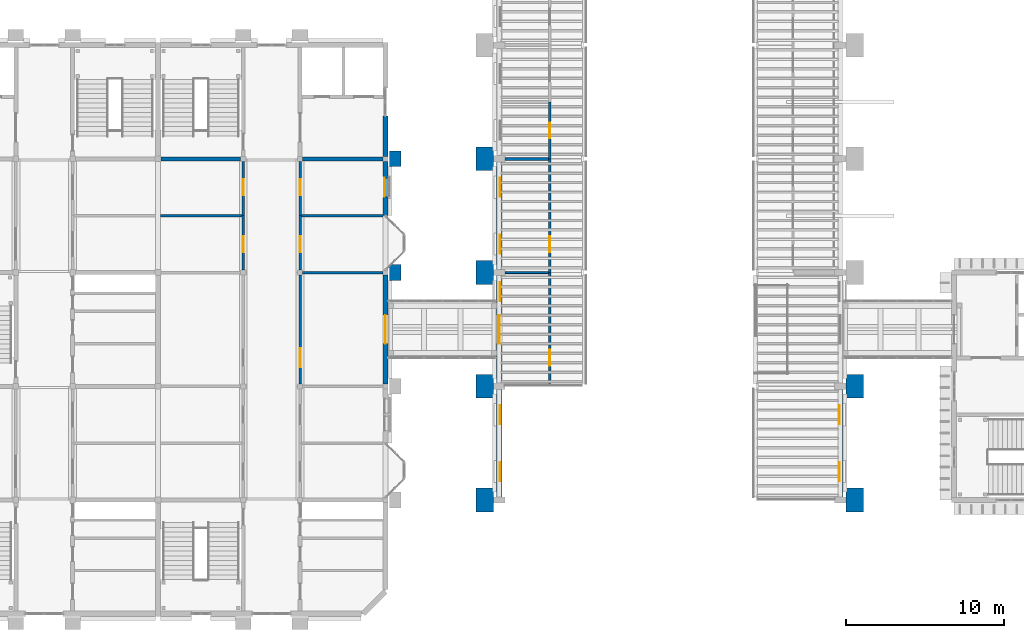
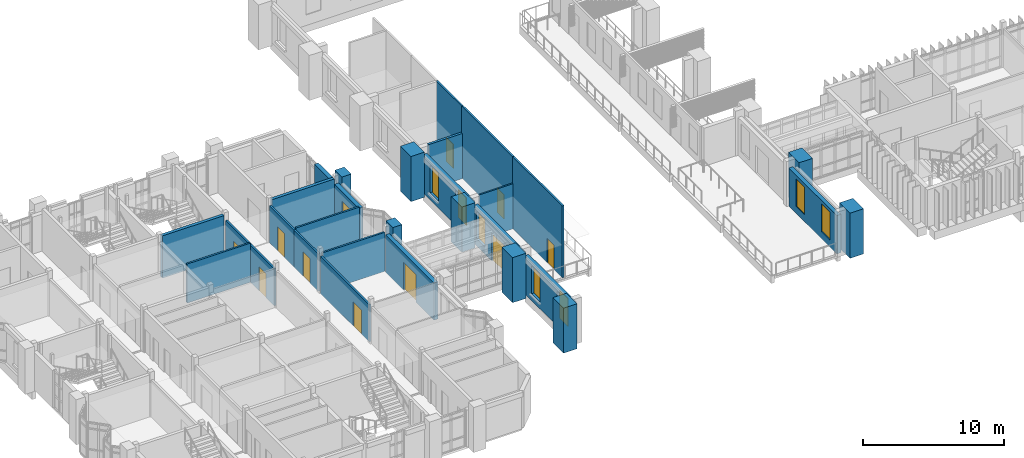
# One storey, part 41 of 69: 30 walls, 10 doors, 8 windows, 18 openings.
"""IFC4 building model written with IfcOpenShell, lengths in metres."""

import ifcopenshell
import ifcopenshell.guid

model = None  # the IFC model being written
_history = None  # IfcOwnerHistory: only IFC2X3 demands one
_inside = {}  # id of a spatial element -> (the spatial element, [elements in it])
_under = {}  # id of a project, library or spatial element -> (it, [spatial elements below it])
_declared = {}  # id of a project -> (the project, [libraries it declares])
_typed = {}  # id of a type object -> (the type object, [elements of that type])
_made_of = {}  # id of a material, layer set ... -> (it, [elements and type objects made of it])


def new_model(schema):
    """Start an empty IFC model of exactly this schema.

    Asked for "IFC4X3", IfcOpenShell would pick the latest addendum, in which some entities
    have other attributes; the version numbers below select the first issue.
    IFC2X3 requires an IfcOwnerHistory on every rooted entity: one is made here for all.
    """
    global model, _history
    if schema == "IFC4X3":
        model = ifcopenshell.file(schema_version=(4, 3, 0, 0))
    else:
        model = ifcopenshell.file(schema=schema)
    _inside.clear()
    _under.clear()
    _declared.clear()
    _typed.clear()
    _made_of.clear()
    _history = None
    if model.schema == "IFC2X3":
        org = make("IfcOrganization", Name="unknown")
        user = make(
            "IfcPersonAndOrganization",
            ThePerson=make("IfcPerson", FamilyName="unknown"),
            TheOrganization=org,
        )
        app = make(
            "IfcApplication",
            ApplicationDeveloper=org,
            Version="unknown",
            ApplicationFullName="unknown",
            ApplicationIdentifier="unknown",
        )
        _history = make(
            "IfcOwnerHistory",
            OwningUser=user,
            OwningApplication=app,
            ChangeAction="ADDED",
            CreationDate=0,
        )
    return model


def make(cls, **values):
    """One entity of the class cls with the attributes given. An attribute that is None is left unset."""
    return model.create_entity(
        cls, **{name: value for name, value in values.items() if value is not None}
    )


def rooted(cls, **values):
    """An entity with a GlobalId (a new one), such as an element, a storey or a relation."""
    return make(cls, GlobalId=ifcopenshell.guid.new(), OwnerHistory=_history, **values)


def si_unit(unit_type, name, prefix=None):
    """IfcSIUnit, for example si_unit("LENGTHUNIT", "METRE", prefix="MILLI")."""
    return make("IfcSIUnit", UnitType=unit_type, Prefix=prefix, Name=name)


def assignment(units):
    """IfcUnitAssignment: the units of a project."""
    return None if units is None else make("IfcUnitAssignment", Units=units)


def point(xyz):
    """IfcCartesianPoint."""
    return None if xyz is None else make("IfcCartesianPoint", Coordinates=xyz)


def direction(xyz):
    """IfcDirection."""
    return None if xyz is None else make("IfcDirection", DirectionRatios=xyz)


def frame(location, z_axis=None, x_axis=None):
    """IfcAxis2Placement3D, a coordinate frame: its origin and axes. An axis left out is left unset."""
    return make(
        "IfcAxis2Placement3D",
        Location=point(location),
        Axis=direction(z_axis),
        RefDirection=direction(x_axis),
    )


def frame_2d(location, x_axis=None):
    """IfcAxis2Placement2D, a coordinate frame in the plane: its origin and x axis."""
    return make(
        "IfcAxis2Placement2D", Location=point(location), RefDirection=direction(x_axis)
    )


def origin():
    """The frame at (0, 0, 0) with its axes left unset."""
    return frame((0.0, 0.0, 0.0))


def place(relative_to, where):
    """IfcLocalPlacement: puts the frame where relative to a parent placement (None: the world)."""
    return make(
        "IfcLocalPlacement", PlacementRelTo=relative_to, RelativePlacement=where
    )


def context(
    kind, dimensions, precision=None, world=None, true_north=None, identifier=None
):
    """IfcGeometricRepresentationContext, for example the 3D "Model" context."""
    return make(
        "IfcGeometricRepresentationContext",
        ContextIdentifier=identifier,
        ContextType=kind,
        CoordinateSpaceDimension=dimensions,
        Precision=precision,
        WorldCoordinateSystem=world,
        TrueNorth=true_north,
    )


def subcontext(parent, identifier, kind, view, scale=None):
    """IfcGeometricRepresentationSubContext, for example "Body" below "Model"."""
    return make(
        "IfcGeometricRepresentationSubContext",
        ContextIdentifier=identifier,
        ContextType=kind,
        ParentContext=parent,
        TargetScale=scale,
        TargetView=view,
    )


def project(units=None, contexts=None):
    """IfcProject with its units and contexts."""
    return rooted(
        "IfcProject",
        Name="project",
        RepresentationContexts=contexts,
        UnitsInContext=assignment(units),
    )


def spatial(cls, under=None, at=None, **own):
    """A site, building, storey or space (cls), placed at a placement, below another one or the project."""
    s = rooted(cls, ObjectPlacement=at, **own)
    if under is not None:
        _under.setdefault(under.id(), (under, []))[1].append(s)
    return s


def profile(cls, at=None, kind="AREA", **sizes):
    """A parametric profile (cls). Its sizes go by their IFC names, for example OverallWidth=200.0."""
    return make(cls, ProfileType=kind, Position=at, **sizes)


def rectangle(**sizes):
    """IfcRectangleProfileDef."""
    return profile("IfcRectangleProfileDef", **sizes)


def extrude(swept, where, along, depth):
    """IfcExtrudedAreaSolid: the profile swept, set in the frame where, extruded along a direction by depth."""
    return make(
        "IfcExtrudedAreaSolid",
        SweptArea=swept,
        Position=where,
        ExtrudedDirection=direction(along),
        Depth=depth,
    )


def shape(context_of_items, identifier, shape_type, items):
    """IfcShapeRepresentation: the items that make up one representation, for example the "Body"."""
    return make(
        "IfcShapeRepresentation",
        ContextOfItems=context_of_items,
        RepresentationIdentifier=identifier,
        RepresentationType=shape_type,
        Items=items,
    )


def material(Name=None, Category=None):
    """IfcMaterial."""
    return make("IfcMaterial", Name=Name, Category=Category)


def layer(
    of_material, thickness, ventilated=None, Name=None, Category=None, Priority=None
):
    """IfcMaterialLayer: one layer of a wall or slab, of a material (None: an air gap)."""
    return make(
        "IfcMaterialLayer",
        Material=of_material,
        LayerThickness=thickness,
        IsVentilated=ventilated,
        Name=Name,
        Category=Category,
        Priority=Priority,
    )


def layer_set(layers, Name=None):
    """IfcMaterialLayerSet."""
    return make("IfcMaterialLayerSet", MaterialLayers=layers, LayerSetName=Name)


def made_of(thing, what):
    """Note that an element or type object is made of a material, layer set ...; save() writes the relation."""
    if what is not None:
        _made_of.setdefault(what.id(), (what, []))[1].append(thing)
    return thing


def type_object(cls, material=None, **own):
    """A type object (cls), such as IfcWallType, which elements share."""
    return made_of(rooted(cls, **own), material)


def element(
    cls,
    number,
    at=None,
    inside=None,
    cuts=None,
    type_object=None,
    material=None,
    context=None,
    identifier="Body",
    shape_type=None,
    held_by="IfcProductDefinitionShape",
    body=None,
    shapes=None,
    **own,
):
    """One element of the class cls, such as IfcWall. Its Tag is "e" and its number.

    at: its placement. inside: the storey or other place that contains it. cuts: it is an
    opening in that element (IfcRelVoidsElement). A single representation is given by context,
    identifier, shape_type and body (its items); several are given by shapes. held_by: the class
    of the entity that holds the representations. save() writes the other relations.
    """
    e = rooted(cls, Tag="e%d" % number, ObjectPlacement=at, **own)
    if body is not None:
        shapes = [shape(context, identifier, shape_type, body)]
    if shapes is not None:
        e.Representation = make(held_by, Representations=shapes)
    if inside is not None:
        _inside.setdefault(inside.id(), (inside, []))[1].append(e)
    if cuts is not None:
        rooted(
            "IfcRelVoidsElement", RelatingBuildingElement=cuts, RelatedOpeningElement=e
        )
    if type_object is not None:
        _typed.setdefault(type_object.id(), (type_object, []))[1].append(e)
    return made_of(e, material)


def fill(opening, filler):
    """IfcRelFillsElement: the door or window that sits in an opening."""
    return rooted(
        "IfcRelFillsElement",
        RelatingOpeningElement=opening,
        RelatedBuildingElement=filler,
    )


def aggregate(whole, parts):
    """IfcRelAggregates: a whole, such as a stair, and the parts it consists of."""
    return rooted("IfcRelAggregates", RelatingObject=whole, RelatedObjects=parts)


def save(model, path):
    """Write the relations noted so far, then the file.

    IfcRelAggregates (storeys below a building ...), IfcRelContainedInSpatialStructure (elements
    in a storey), IfcRelDefinesByType, IfcRelAssociatesMaterial and IfcRelDeclares: one each for
    every whole, place, type object, material and project.
    """
    for whole, parts in _under.values():
        aggregate(whole, parts)
    for where, things in _inside.values():
        rooted(
            "IfcRelContainedInSpatialStructure",
            RelatedElements=things,
            RelatingStructure=where,
        )
    for kind, things in _typed.values():
        rooted("IfcRelDefinesByType", RelatedObjects=things, RelatingType=kind)
    for what, things in _made_of.values():
        rooted("IfcRelAssociatesMaterial", RelatedObjects=things, RelatingMaterial=what)
    for by, libraries in _declared.values():
        rooted("IfcRelDeclares", RelatingContext=by, RelatedDefinitions=libraries)
    model.write(path)


model = new_model("IFC4")

# Units and contexts
model_context = context("Model", 3, precision=1e-05, world=origin(), true_north=direction((0.0, 1.0)))
body_context = subcontext(model_context, "Body", "Model", "MODEL_VIEW")
ifc_project = project(units=[si_unit("LENGTHUNIT", "METRE"), si_unit("AREAUNIT", "SQUARE_METRE"), si_unit("VOLUMEUNIT", "CUBIC_METRE"), si_unit("PLANEANGLEUNIT", "RADIAN"), si_unit("MASSUNIT", "GRAM", prefix="KILO")], contexts=[model_context])

# Site, building, storey
site_placement = place(None, origin())
site = spatial("IfcSite", under=ifc_project, at=site_placement, CompositionType="ELEMENT")
building_placement = place(site_placement, origin())
building = spatial("IfcBuilding", under=site, at=building_placement, Name="Mazhai Court Health Centre", CompositionType="ELEMENT")
storey_placement = place(building_placement, frame((0.0, 0.0, 6.300048828125)))
storey = spatial("IfcBuildingStorey", under=building, at=storey_placement, Name="L01", CompositionType="ELEMENT", Elevation=6.300048828125)

# Walls
ifc_material_1 = material(Name="Clay brick masonry", Category="masonry")
ifc_layer_1 = layer(ifc_material_1, 1.10009765625)
ifc_layer_set_1 = layer_set([ifc_layer_1], Name="BRICK BUTTRESS PIER 1100")
wall_type_1 = type_object("IfcWallType", Name="BRICK BUTTRESS PIER 1100", PredefinedType="SOLIDWALL", material=ifc_layer_set_1)
for number, where, z_axis, x_axis, name in (
    (1, (41.2900390625, 12.64990234375, 0.0), (0.0, 0.0, 1.0), (0.0, 1.0, 0.0), "EP-V1-L01-W0"),
    (2, (41.2900390625, 19.85009765625, 0.0), (0.0, 0.0, 1.0), (0.0, 1.0, 0.0), "EP-V1-L01-W1"),
    (3, (41.2900390625, 27.050048828125, 0.0), (0.0, 0.0, 1.0), (0.0, 1.0, 0.0), "EP-V1-L01-W2"),
    (4, (41.2900390625, 34.25, 0.0), (0.0, 0.0, 1.0), (0.0, 1.0, 0.0), "EP-V1-L01-W3"),
    (5, (64.7099609375, 14.14990234375, 0.0), (0.0, 0.0, 1.0), (0.0, -1.0, 0.0), "EP-V1-L01-E0"),
    (6, (64.7099609375, 21.35009765625, 0.0), (0.0, 0.0, 1.0), (0.0, -1.0, 0.0), "EP-V1-L01-E1"),
):
    element("IfcWall", number, at=place(storey_placement, frame(where, z_axis=z_axis, x_axis=x_axis)), inside=storey, type_object=wall_type_1, Name=name, PredefinedType="SOLIDWALL", context=body_context, shape_type="SweptSolid", body=[
        extrude(rectangle(XDim=1.5, YDim=1.10009765625, at=frame_2d((0.75, 0.0))), origin(), (0.0, 0.0, 1.0), 3.89990234375),
    ])
ifc_material_2 = material(Name="Clay brick masonry", Category="masonry")
ifc_layer_2 = layer(ifc_material_2, 0.75)
ifc_layer_set_2 = layer_set([ifc_layer_2], Name="BRICK PIER 750")
wall_type_2 = type_object("IfcWallType", Name="BRICK PIER 750", PredefinedType="SOLIDWALL", material=ifc_layer_set_2)
for number, where, z_axis, x_axis, name in (
    (7, (35.625, 28.300048828125, 0.0), (0.0, 0.0, 1.0), (0.0, -1.0, 0.0), "EP-V5-L01-B3"),
    (8, (35.625, 35.5, 0.0), (0.0, 0.0, 1.0), (0.0, -1.0, 0.0), "EP-V5-L01-B4"),
):
    element("IfcWall", number, at=place(storey_placement, frame(where, z_axis=z_axis, x_axis=x_axis)), inside=storey, type_object=wall_type_2, Name=name, PredefinedType="SOLIDWALL", context=body_context, shape_type="SweptSolid", body=[
        extrude(rectangle(XDim=1.0, YDim=0.75, at=frame_2d((0.5, 0.0))), origin(), (0.0, 0.0, 1.0), 3.89990234375),
    ])

# Wall, opening, door
ifc_material_3 = material(Name="Clay brick masonry", Category="masonry")
ifc_layer_3 = layer(ifc_material_3, 0.330078125)
ifc_layer_set_3 = layer_set([ifc_layer_3], Name="BRICK WALL 330 EXTERNAL")
wall_type_3 = type_object("IfcWallType", Name="BRICK WALL 330 EXTERNAL", PredefinedType="SOLIDWALL", material=ifc_layer_set_3)
wall_1_placement = place(storey_placement, frame((35.0, 27.639892578125, 0.0), z_axis=(0.0, 0.0, 1.0), x_axis=(0.0, -1.0, 0.0)))
wall_1 = element("IfcWall", 9, at=wall_1_placement, inside=storey, type_object=wall_type_3, Name="EW-V5-L01-B2p0", PredefinedType="SOLIDWALL", context=body_context, shape_type="SweptSolid", body=[
    extrude(rectangle(XDim=6.8798828125, YDim=0.330078125, at=frame_2d((3.43994140625, 0.0))), origin(), (0.0, 0.0, 1.0), 3.219970703125),
])
opening_1_placement = place(wall_1_placement, frame((2.5400390625, 0.0, 0.0)))
opening_1 = element("IfcOpeningElement", 10, at=opening_1_placement, cuts=wall_1, Name="Opening D-L01-036", PredefinedType="OPENING", context=body_context, shape_type="SweptSolid", body=[
    extrude(rectangle(XDim=1.800048828125, YDim=2.39990234375, at=frame_2d((0.89990234375, 1.199951171875))), frame((0.0, 0.175048828125, 0.0), z_axis=(0.0, -1.0, 0.0), x_axis=(1.0, 0.0, 0.0)), (0.0, 0.0, 1.0), 0.35009765625),
])
ifc_material_4 = material(Name="Teak timber door, glazed", Category="wood")
door_type_1 = type_object("IfcDoorType", Name="DOOR BRIDGE DOUBLE 1800x2400", OperationType="DOUBLE_DOOR_SINGLE_SWING", PredefinedType="DOOR", material=ifc_material_4)
door_1_placement = place(opening_1_placement, origin())
door_1 = element("IfcDoor", 11, at=door_1_placement, inside=storey, type_object=door_type_1, Name="L01-E01", OperationType="DOUBLE_DOOR_SINGLE_SWING", OverallHeight=2.39990234375, OverallWidth=1.800048828125, PredefinedType="DOOR", context=body_context, shape_type="SweptSolid", body=[
    extrude(rectangle(XDim=1.800048828125, YDim=2.39990234375, at=frame_2d((0.89990234375, 1.199951171875))), frame((0.0, 0.02490234375, 0.0), z_axis=(0.0, -1.0, 0.0), x_axis=(1.0, 0.0, 0.0)), (0.0, 0.0, 1.0), 0.050048828125),
])
fill(opening_1, door_1)

# Wall, opening, window
wall_2_placement = place(storey_placement, frame((35.0, 34.840087890625, 0.0), z_axis=(0.0, 0.0, 1.0), x_axis=(0.0, -1.0, 0.0)))
wall_2 = element("IfcWall", 12, at=wall_2_placement, inside=storey, type_object=wall_type_3, Name="EW-V5-L01-B3p1", PredefinedType="SOLIDWALL", context=body_context, shape_type="SweptSolid", body=[
    extrude(rectangle(XDim=3.440185546875, YDim=0.330078125, at=frame_2d((1.72021484375, 0.0))), origin(), (0.0, 0.0, 1.0), 3.219970703125),
])
opening_2_placement = place(wall_2_placement, frame((1.0400390625, 0.0, 0.89990234375)))
opening_2 = element("IfcOpeningElement", 13, at=opening_2_placement, cuts=wall_2, Name="Opening W12", PredefinedType="OPENING", context=body_context, shape_type="SweptSolid", body=[
    extrude(rectangle(XDim=1.199951171875, YDim=1.5, at=frame_2d((0.60009765625, 0.75))), frame((0.0, 0.175048828125, 0.0), z_axis=(0.0, -1.0, 0.0), x_axis=(1.0, 0.0, 0.0)), (0.0, 0.0, 1.0), 0.35009765625),
])
ifc_material_5 = material(Name="Teak timber frame, glazed", Category="wood")
window_type_1 = type_object("IfcWindowType", Name="WINDOW OFFICE 1200x1500", PartitioningType="SINGLE_PANEL", PredefinedType="WINDOW", material=ifc_material_5)
window_1_placement = place(opening_2_placement, origin())
window_1 = element("IfcWindow", 14, at=window_1_placement, inside=storey, type_object=window_type_1, Name="W12 WN-V5-L01-B31", OverallHeight=1.5, OverallWidth=1.199951171875, PartitioningType="SINGLE_PANEL", PredefinedType="WINDOW", context=body_context, shape_type="SweptSolid", body=[
    extrude(rectangle(XDim=1.199951171875, YDim=1.5, at=frame_2d((0.60009765625, 0.75))), frame((0.0, -0.030029296875, 0.0), z_axis=(0.0, -1.0, 0.0), x_axis=(1.0, 0.0, 0.0)), (0.0, 0.0, 1.0), 0.06005859375),
])
fill(opening_2, window_1)

# Wall
wall_3_placement = place(storey_placement, frame((35.0, 37.699951171875, 0.0), z_axis=(0.0, 0.0, 1.0), x_axis=(0.0, -1.0, 0.0)))
element("IfcWall", 15, at=wall_3_placement, inside=storey, type_object=wall_type_3, Name="EW-V5-L01-B4a", PredefinedType="SOLIDWALL", context=body_context, shape_type="SweptSolid", body=[
    extrude(rectangle(XDim=2.5400390625, YDim=0.330078125, at=frame_2d((1.27001953125, 0.0))), origin(), (0.0, 0.0, 1.0), 3.219970703125),
])

# Wall, openings, windows
wall_4_placement = place(storey_placement, frame((42.199951171875, 13.60009765625, 0.0), z_axis=(0.0, 0.0, 1.0), x_axis=(0.0, 1.0, 0.0)))
wall_4 = element("IfcWall", 16, at=wall_4_placement, inside=storey, type_object=wall_type_3, Name="EW-V1-L01-W0", PredefinedType="SOLIDWALL", context=body_context, shape_type="SweptSolid", body=[
    extrude(rectangle(XDim=6.7998046875, YDim=0.330078125, at=frame_2d((3.39990234375, 0.0))), origin(), (0.0, 0.0, 1.0), 3.300048828125),
])
opening_3_placement = place(wall_4_placement, frame((1.0, 0.0, 0.60009765625)))
opening_3 = element("IfcOpeningElement", 17, at=opening_3_placement, cuts=wall_4, Name="Opening W2", PredefinedType="OPENING", context=body_context, shape_type="SweptSolid", body=[
    extrude(rectangle(XDim=1.199951171875, YDim=2.39990234375, at=frame_2d((0.60009765625, 1.199951171875))), frame((0.0, 0.175048828125, 0.0), z_axis=(0.0, -1.0, 0.0), x_axis=(1.0, 0.0, 0.0)), (0.0, 0.0, 1.0), 0.35009765625),
])
opening_4_placement = place(wall_4_placement, frame((4.60009765625, 0.0, 0.60009765625)))
opening_4 = element("IfcOpeningElement", 18, at=opening_4_placement, cuts=wall_4, Name="Opening W2", PredefinedType="OPENING", context=body_context, shape_type="SweptSolid", body=[
    extrude(rectangle(XDim=1.199951171875, YDim=2.39990234375, at=frame_2d((0.60009765625, 1.199951171875))), frame((0.0, 0.175048828125, 0.0), z_axis=(0.0, -1.0, 0.0), x_axis=(1.0, 0.0, 0.0)), (0.0, 0.0, 1.0), 0.35009765625),
])
ifc_material_6 = material(Name="Teak timber frame, glazed", Category="wood")
window_type_2 = type_object("IfcWindowType", Name="WINDOW TALL PIER 1200x2400", PartitioningType="SINGLE_PANEL", PredefinedType="WINDOW", material=ifc_material_6)
window_2_placement = place(opening_3_placement, origin())
window_2 = element("IfcWindow", 19, at=window_2_placement, inside=storey, type_object=window_type_2, Name="W2 WN-V1-L01-W0a", OverallHeight=2.39990234375, OverallWidth=1.199951171875, PartitioningType="SINGLE_PANEL", PredefinedType="WINDOW", context=body_context, shape_type="SweptSolid", body=[
    extrude(rectangle(XDim=1.199951171875, YDim=2.39990234375, at=frame_2d((0.60009765625, 1.199951171875))), frame((0.0, -0.030029296875, 0.0), z_axis=(0.0, -1.0, 0.0), x_axis=(1.0, 0.0, 0.0)), (0.0, 0.0, 1.0), 0.06005859375),
])
fill(opening_3, window_2)
window_3_placement = place(opening_4_placement, origin())
window_3 = element("IfcWindow", 20, at=window_3_placement, inside=storey, type_object=window_type_2, Name="W2 WN-V1-L01-W0b", OverallHeight=2.39990234375, OverallWidth=1.199951171875, PartitioningType="SINGLE_PANEL", PredefinedType="WINDOW", context=body_context, shape_type="SweptSolid", body=[
    extrude(rectangle(XDim=1.199951171875, YDim=2.39990234375, at=frame_2d((0.60009765625, 1.199951171875))), frame((0.0, -0.030029296875, 0.0), z_axis=(0.0, -1.0, 0.0), x_axis=(1.0, 0.0, 0.0)), (0.0, 0.0, 1.0), 0.06005859375),
])
fill(opening_4, window_3)

# Wall, openings, door, window
wall_5_placement = place(storey_placement, frame((42.199951171875, 20.800048828125, 0.0), z_axis=(0.0, 0.0, 1.0), x_axis=(0.0, 1.0, 0.0)))
wall_5 = element("IfcWall", 21, at=wall_5_placement, inside=storey, type_object=wall_type_3, Name="EW-V1-L01-W1", PredefinedType="SOLIDWALL", context=body_context, shape_type="SweptSolid", body=[
    extrude(rectangle(XDim=6.800048828125, YDim=0.330078125, at=frame_2d((3.39990234375, 0.0))), origin(), (0.0, 0.0, 1.0), 3.300048828125),
])
opening_5_placement = place(wall_5_placement, frame((2.5, 0.0, 0.0)))
opening_5 = element("IfcOpeningElement", 22, at=opening_5_placement, cuts=wall_5, Name="Opening D-L01-037", PredefinedType="OPENING", context=body_context, shape_type="SweptSolid", body=[
    extrude(rectangle(XDim=1.800048828125, YDim=2.39990234375, at=frame_2d((0.89990234375, 1.199951171875))), frame((0.0, 0.175048828125, 0.0), z_axis=(0.0, -1.0, 0.0), x_axis=(1.0, 0.0, 0.0)), (0.0, 0.0, 1.0), 0.35009765625),
])
opening_6_placement = place(wall_5_placement, frame((5.199951171875, 0.0, 0.60009765625)))
opening_6 = element("IfcOpeningElement", 23, at=opening_6_placement, cuts=wall_5, Name="Opening W2", PredefinedType="OPENING", context=body_context, shape_type="SweptSolid", body=[
    extrude(rectangle(XDim=1.199951171875, YDim=2.39990234375, at=frame_2d((0.60009765625, 1.199951171875))), frame((0.0, 0.175048828125, 0.0), z_axis=(0.0, -1.0, 0.0), x_axis=(1.0, 0.0, 0.0)), (0.0, 0.0, 1.0), 0.35009765625),
])
door_2_placement = place(opening_5_placement, origin())
door_2 = element("IfcDoor", 24, at=door_2_placement, inside=storey, type_object=door_type_1, Name="L01-E03", OperationType="DOUBLE_DOOR_SINGLE_SWING", OverallHeight=2.39990234375, OverallWidth=1.800048828125, PredefinedType="DOOR", context=body_context, shape_type="SweptSolid", body=[
    extrude(rectangle(XDim=1.800048828125, YDim=2.39990234375, at=frame_2d((0.89990234375, 1.199951171875))), frame((0.0, 0.02490234375, 0.0), z_axis=(0.0, -1.0, 0.0), x_axis=(1.0, 0.0, 0.0)), (0.0, 0.0, 1.0), 0.050048828125),
])
fill(opening_5, door_2)
window_4_placement = place(opening_6_placement, origin())
window_4 = element("IfcWindow", 25, at=window_4_placement, inside=storey, type_object=window_type_2, Name="W2 WN-V1-L01-W1x", OverallHeight=2.39990234375, OverallWidth=1.199951171875, PartitioningType="SINGLE_PANEL", PredefinedType="WINDOW", context=body_context, shape_type="SweptSolid", body=[
    extrude(rectangle(XDim=1.199951171875, YDim=2.39990234375, at=frame_2d((0.60009765625, 1.199951171875))), frame((0.0, -0.030029296875, 0.0), z_axis=(0.0, -1.0, 0.0), x_axis=(1.0, 0.0, 0.0)), (0.0, 0.0, 1.0), 0.06005859375),
])
fill(opening_6, window_4)

# Wall, openings, windows
wall_6_placement = place(storey_placement, frame((42.199951171875, 28.0, 0.0), z_axis=(0.0, 0.0, 1.0), x_axis=(0.0, 1.0, 0.0)))
wall_6 = element("IfcWall", 26, at=wall_6_placement, inside=storey, type_object=wall_type_3, Name="EW-V1-L01-W2", PredefinedType="SOLIDWALL", context=body_context, shape_type="SweptSolid", body=[
    extrude(rectangle(XDim=6.800048828125, YDim=0.330078125, at=frame_2d((3.39990234375, 0.0))), origin(), (0.0, 0.0, 1.0), 3.300048828125),
])
opening_7_placement = place(wall_6_placement, frame((1.0, 0.0, 0.60009765625)))
opening_7 = element("IfcOpeningElement", 27, at=opening_7_placement, cuts=wall_6, Name="Opening W2", PredefinedType="OPENING", context=body_context, shape_type="SweptSolid", body=[
    extrude(rectangle(XDim=1.199951171875, YDim=2.39990234375, at=frame_2d((0.60009765625, 1.199951171875))), frame((0.0, 0.175048828125, 0.0), z_axis=(0.0, -1.0, 0.0), x_axis=(1.0, 0.0, 0.0)), (0.0, 0.0, 1.0), 0.35009765625),
])
opening_8_placement = place(wall_6_placement, frame((4.60009765625, 0.0, 0.60009765625)))
opening_8 = element("IfcOpeningElement", 28, at=opening_8_placement, cuts=wall_6, Name="Opening W2", PredefinedType="OPENING", context=body_context, shape_type="SweptSolid", body=[
    extrude(rectangle(XDim=1.199951171875, YDim=2.39990234375, at=frame_2d((0.60009765625, 1.199951171875))), frame((0.0, 0.175048828125, 0.0), z_axis=(0.0, -1.0, 0.0), x_axis=(1.0, 0.0, 0.0)), (0.0, 0.0, 1.0), 0.35009765625),
])
window_5_placement = place(opening_7_placement, origin())
window_5 = element("IfcWindow", 29, at=window_5_placement, inside=storey, type_object=window_type_2, Name="W2 WN-V1-L01-W2a", OverallHeight=2.39990234375, OverallWidth=1.199951171875, PartitioningType="SINGLE_PANEL", PredefinedType="WINDOW", context=body_context, shape_type="SweptSolid", body=[
    extrude(rectangle(XDim=1.199951171875, YDim=2.39990234375, at=frame_2d((0.60009765625, 1.199951171875))), frame((0.0, -0.030029296875, 0.0), z_axis=(0.0, -1.0, 0.0), x_axis=(1.0, 0.0, 0.0)), (0.0, 0.0, 1.0), 0.06005859375),
])
fill(opening_7, window_5)
window_6_placement = place(opening_8_placement, origin())
window_6 = element("IfcWindow", 30, at=window_6_placement, inside=storey, type_object=window_type_2, Name="W2 WN-V1-L01-W2b", OverallHeight=2.39990234375, OverallWidth=1.199951171875, PartitioningType="SINGLE_PANEL", PredefinedType="WINDOW", context=body_context, shape_type="SweptSolid", body=[
    extrude(rectangle(XDim=1.199951171875, YDim=2.39990234375, at=frame_2d((0.60009765625, 1.199951171875))), frame((0.0, -0.030029296875, 0.0), z_axis=(0.0, -1.0, 0.0), x_axis=(1.0, 0.0, 0.0)), (0.0, 0.0, 1.0), 0.06005859375),
])
fill(opening_8, window_6)

wall_7_placement = place(storey_placement, frame((63.800048828125, 20.39990234375, 0.0), z_axis=(0.0, 0.0, 1.0), x_axis=(0.0, -1.0, 0.0)))
wall_7 = element("IfcWall", 31, at=wall_7_placement, inside=storey, type_object=wall_type_3, Name="EW-V1-L01-E0", PredefinedType="SOLIDWALL", context=body_context, shape_type="SweptSolid", body=[
    extrude(rectangle(XDim=6.7998046875, YDim=0.330078125, at=frame_2d((3.39990234375, 0.0))), origin(), (0.0, 0.0, 1.0), 3.300048828125),
])
opening_9_placement = place(wall_7_placement, frame((4.60009765625, 0.0, 0.60009765625)))
opening_9 = element("IfcOpeningElement", 32, at=opening_9_placement, cuts=wall_7, Name="Opening W2", PredefinedType="OPENING", context=body_context, shape_type="SweptSolid", body=[
    extrude(rectangle(XDim=1.199951171875, YDim=2.39990234375, at=frame_2d((0.60009765625, 1.199951171875))), frame((0.0, 0.175048828125, 0.0), z_axis=(0.0, -1.0, 0.0), x_axis=(1.0, 0.0, 0.0)), (0.0, 0.0, 1.0), 0.35009765625),
])
opening_10_placement = place(wall_7_placement, frame((1.0, 0.0, 0.60009765625)))
opening_10 = element("IfcOpeningElement", 33, at=opening_10_placement, cuts=wall_7, Name="Opening W2", PredefinedType="OPENING", context=body_context, shape_type="SweptSolid", body=[
    extrude(rectangle(XDim=1.199951171875, YDim=2.39990234375, at=frame_2d((0.60009765625, 1.199951171875))), frame((0.0, 0.175048828125, 0.0), z_axis=(0.0, -1.0, 0.0), x_axis=(1.0, 0.0, 0.0)), (0.0, 0.0, 1.0), 0.35009765625),
])
window_7_placement = place(opening_9_placement, origin())
window_7 = element("IfcWindow", 34, at=window_7_placement, inside=storey, type_object=window_type_2, Name="W2 WN-V1-L01-E0a", OverallHeight=2.39990234375, OverallWidth=1.199951171875, PartitioningType="SINGLE_PANEL", PredefinedType="WINDOW", context=body_context, shape_type="SweptSolid", body=[
    extrude(rectangle(XDim=1.199951171875, YDim=2.39990234375, at=frame_2d((0.60009765625, 1.199951171875))), frame((0.0, -0.030029296875, 0.0), z_axis=(0.0, -1.0, 0.0), x_axis=(1.0, 0.0, 0.0)), (0.0, 0.0, 1.0), 0.06005859375),
])
fill(opening_9, window_7)
window_8_placement = place(opening_10_placement, origin())
window_8 = element("IfcWindow", 35, at=window_8_placement, inside=storey, type_object=window_type_2, Name="W2 WN-V1-L01-E0b", OverallHeight=2.39990234375, OverallWidth=1.199951171875, PartitioningType="SINGLE_PANEL", PredefinedType="WINDOW", context=body_context, shape_type="SweptSolid", body=[
    extrude(rectangle(XDim=1.199951171875, YDim=2.39990234375, at=frame_2d((0.60009765625, 1.199951171875))), frame((0.0, -0.030029296875, 0.0), z_axis=(0.0, -1.0, 0.0), x_axis=(1.0, 0.0, 0.0)), (0.0, 0.0, 1.0), 0.06005859375),
])
fill(opening_10, window_8)

# Wall
ifc_material_7 = material(Name="Gypsum plasterboard partition")
ifc_layer_4 = layer(ifc_material_7, 0.125)
ifc_layer_set_4 = layer_set([ifc_layer_4], Name="PARTITION 125 STUD EI30")
wall_type_4 = type_object("IfcWallType", Name="PARTITION 125 STUD EI30", PredefinedType="PARTITIONING", material=ifc_layer_set_4)
wall_8_placement = place(storey_placement, frame((42.56005859375, 27.800048828125, 0.0), z_axis=(0.0, 0.0, 1.0), x_axis=(1.0, 0.0, 0.0)))
element("IfcWall", 36, at=wall_8_placement, inside=storey, type_object=wall_type_4, Name="wall-V1-L01-W-cross-1a", PredefinedType="PARTITIONING", context=body_context, shape_type="SweptSolid", body=[
    extrude(rectangle(XDim=2.764892578125, YDim=0.125, at=frame_2d((1.38232421875, 0.0))), origin(), (0.0, 0.0, 1.0), 3.89990234375),
])

# Wall, opening, door
ifc_material_8 = material(Name="Gypsum plasterboard partition")
ifc_layer_5 = layer(ifc_material_8, 0.14990234375)
ifc_layer_set_5 = layer_set([ifc_layer_5], Name="PARTITION 150 CORRIDOR EI60")
wall_type_5 = type_object("IfcWallType", Name="PARTITION 150 CORRIDOR EI60", PredefinedType="PARTITIONING", material=ifc_layer_set_5)
wall_9_placement = place(storey_placement, frame((26.0, 27.9599609375, 0.0), z_axis=(0.0, 0.0, 1.0), x_axis=(0.0, 1.0, 0.0)))
wall_9 = element("IfcWall", 37, at=wall_9_placement, inside=storey, type_object=wall_type_5, Name="wall-V5-L01-A0-corr-3a", PredefinedType="PARTITIONING", context=body_context, shape_type="SweptSolid", body=[
    extrude(rectangle(XDim=3.43994140625, YDim=0.14990234375, at=frame_2d((1.719970703125, 0.0))), origin(), (0.0, 0.0, 1.0), 3.219970703125),
])
opening_11_placement = place(wall_9_placement, frame((1.139892578125, 0.0, 0.0)))
opening_11 = element("IfcOpeningElement", 38, at=opening_11_placement, cuts=wall_9, Name="Opening D-L01-023", PredefinedType="OPENING", context=body_context, shape_type="SweptSolid", body=[
    extrude(rectangle(XDim=1.0, YDim=2.10009765625, at=frame_2d((0.5, 1.050048828125))), frame((0.0, 0.0849609375, 0.0), z_axis=(0.0, -1.0, 0.0), x_axis=(1.0, 0.0, 0.0)), (0.0, 0.0, 1.0), 0.169921875),
])
ifc_material_9 = material(Name="Hardwood door leaf", Category="wood")
door_type_2 = type_object("IfcDoorType", Name="DOOR 1000x2100 FD30S SINGLE", OperationType="NOTDEFINED", PredefinedType="DOOR", material=ifc_material_9)
door_3_placement = place(opening_11_placement, origin())
door_3 = element("IfcDoor", 39, at=door_3_placement, inside=storey, type_object=door_type_2, Name="door-V5-L01-A0-haematology-laboratory", OperationType="SINGLE_SWING_LEFT", OverallHeight=2.10009765625, OverallWidth=1.0, PredefinedType="DOOR", context=body_context, shape_type="SweptSolid", body=[
    extrude(rectangle(XDim=1.0, YDim=2.10009765625, at=frame_2d((0.5, 1.050048828125))), frame((0.0, 0.02490234375, 0.0), z_axis=(0.0, -1.0, 0.0), x_axis=(1.0, 0.0, 0.0)), (0.0, 0.0, 1.0), 0.050048828125),
])
fill(opening_11, door_3)

wall_10_placement = place(storey_placement, frame((26.0, 31.39990234375, 0.0), z_axis=(0.0, 0.0, 1.0), x_axis=(0.0, 1.0, 0.0)))
wall_10 = element("IfcWall", 40, at=wall_10_placement, inside=storey, type_object=wall_type_5, Name="wall-V5-L01-A0-corr-4a", PredefinedType="PARTITIONING", context=body_context, shape_type="SweptSolid", body=[
    extrude(rectangle(XDim=3.440185546875, YDim=0.14990234375, at=frame_2d((1.72021484375, 0.0))), origin(), (0.0, 0.0, 1.0), 3.219970703125),
])
opening_12_placement = place(wall_10_placement, frame((1.300048828125, 0.0, 0.0)))
opening_12 = element("IfcOpeningElement", 41, at=opening_12_placement, cuts=wall_10, Name="Opening D-L01-024", PredefinedType="OPENING", context=body_context, shape_type="SweptSolid", body=[
    extrude(rectangle(XDim=1.0, YDim=2.10009765625, at=frame_2d((0.5, 1.050048828125))), frame((0.0, 0.0849609375, 0.0), z_axis=(0.0, -1.0, 0.0), x_axis=(1.0, 0.0, 0.0)), (0.0, 0.0, 1.0), 0.169921875),
])
door_4_placement = place(opening_12_placement, origin())
door_4 = element("IfcDoor", 42, at=door_4_placement, inside=storey, type_object=door_type_2, Name="door-V5-L01-A0-microbiology-laboratory", OperationType="SINGLE_SWING_RIGHT", OverallHeight=2.10009765625, OverallWidth=1.0, PredefinedType="DOOR", context=body_context, shape_type="SweptSolid", body=[
    extrude(rectangle(XDim=1.0, YDim=2.10009765625, at=frame_2d((0.5, 1.050048828125))), frame((0.0, 0.02490234375, 0.0), z_axis=(0.0, -1.0, 0.0), x_axis=(1.0, 0.0, 0.0)), (0.0, 0.0, 1.0), 0.050048828125),
])
fill(opening_12, door_4)

wall_11_placement = place(storey_placement, frame((29.60009765625, 27.639892578125, 0.0), z_axis=(0.0, 0.0, 1.0), x_axis=(0.0, -1.0, 0.0)))
wall_11 = element("IfcWall", 43, at=wall_11_placement, inside=storey, type_object=wall_type_5, Name="wall-V5-L01-B0-corr-2a", PredefinedType="PARTITIONING", context=body_context, shape_type="SweptSolid", body=[
    extrude(rectangle(XDim=6.8798828125, YDim=0.14990234375, at=frame_2d((3.43994140625, 0.0))), origin(), (0.0, 0.0, 1.0), 3.219970703125),
])
opening_13_placement = place(wall_11_placement, frame((4.639892578125, 0.0, 0.0)))
opening_13 = element("IfcOpeningElement", 44, at=opening_13_placement, cuts=wall_11, Name="Opening D-L01-032", PredefinedType="OPENING", context=body_context, shape_type="SweptSolid", body=[
    extrude(rectangle(XDim=1.199951171875, YDim=2.10009765625, at=frame_2d((0.60009765625, 1.050048828125))), frame((0.0, 0.0849609375, 0.0), z_axis=(0.0, -1.0, 0.0), x_axis=(1.0, 0.0, 0.0)), (0.0, 0.0, 1.0), 0.169921875),
])
ifc_material_10 = material(Name="Hardwood door leaf", Category="wood")
door_type_3 = type_object("IfcDoorType", Name="DOOR 1200x2100 FD30S WIDE SINGLE", OperationType="NOTDEFINED", PredefinedType="DOOR", material=ifc_material_10)
door_5_placement = place(opening_13_placement, origin())
door_5 = element("IfcDoor", 45, at=door_5_placement, inside=storey, type_object=door_type_3, Name="door-V5-L01-B0-diagnostic-link-lobby", OperationType="SINGLE_SWING_RIGHT", OverallHeight=2.10009765625, OverallWidth=1.199951171875, PredefinedType="DOOR", context=body_context, shape_type="SweptSolid", body=[
    extrude(rectangle(XDim=1.199951171875, YDim=2.10009765625, at=frame_2d((0.60009765625, 1.050048828125))), frame((0.0, 0.02490234375, 0.0), z_axis=(0.0, -1.0, 0.0), x_axis=(1.0, 0.0, 0.0)), (0.0, 0.0, 1.0), 0.050048828125),
])
fill(opening_13, door_5)

wall_12_placement = place(storey_placement, frame((29.60009765625, 31.39990234375, 0.0), z_axis=(0.0, 0.0, 1.0), x_axis=(0.0, -1.0, 0.0)))
wall_12 = element("IfcWall", 46, at=wall_12_placement, inside=storey, type_object=wall_type_5, Name="wall-V5-L01-B0-corr-3a", PredefinedType="PARTITIONING", context=body_context, shape_type="SweptSolid", body=[
    extrude(rectangle(XDim=3.43994140625, YDim=0.14990234375, at=frame_2d((1.719970703125, 0.0))), origin(), (0.0, 0.0, 1.0), 3.219970703125),
])
opening_14_placement = place(wall_12_placement, frame((1.300048828125, 0.0, 0.0)))
opening_14 = element("IfcOpeningElement", 47, at=opening_14_placement, cuts=wall_12, Name="Opening D-L01-033", PredefinedType="OPENING", context=body_context, shape_type="SweptSolid", body=[
    extrude(rectangle(XDim=1.0, YDim=2.10009765625, at=frame_2d((0.5, 1.050048828125))), frame((0.0, 0.0849609375, 0.0), z_axis=(0.0, -1.0, 0.0), x_axis=(1.0, 0.0, 0.0)), (0.0, 0.0, 1.0), 0.169921875),
])
door_6_placement = place(opening_14_placement, origin())
door_6 = element("IfcDoor", 48, at=door_6_placement, inside=storey, type_object=door_type_2, Name="door-V5-L01-B0-dental-sterilisation-room", OperationType="SINGLE_SWING_RIGHT", OverallHeight=2.10009765625, OverallWidth=1.0, PredefinedType="DOOR", context=body_context, shape_type="SweptSolid", body=[
    extrude(rectangle(XDim=1.0, YDim=2.10009765625, at=frame_2d((0.5, 1.050048828125))), frame((0.0, 0.02490234375, 0.0), z_axis=(0.0, -1.0, 0.0), x_axis=(1.0, 0.0, 0.0)), (0.0, 0.0, 1.0), 0.050048828125),
])
fill(opening_14, door_6)

wall_13_placement = place(storey_placement, frame((29.60009765625, 34.840087890625, 0.0), z_axis=(0.0, 0.0, 1.0), x_axis=(0.0, -1.0, 0.0)))
wall_13 = element("IfcWall", 49, at=wall_13_placement, inside=storey, type_object=wall_type_5, Name="wall-V5-L01-B0-corr-4a", PredefinedType="PARTITIONING", context=body_context, shape_type="SweptSolid", body=[
    extrude(rectangle(XDim=3.440185546875, YDim=0.14990234375, at=frame_2d((1.72021484375, 0.0))), origin(), (0.0, 0.0, 1.0), 3.219970703125),
])
opening_15_placement = place(wall_13_placement, frame((1.139892578125, 0.0, 0.0)))
opening_15 = element("IfcOpeningElement", 50, at=opening_15_placement, cuts=wall_13, Name="Opening D-L01-034", PredefinedType="OPENING", context=body_context, shape_type="SweptSolid", body=[
    extrude(rectangle(XDim=1.0, YDim=2.10009765625, at=frame_2d((0.5, 1.050048828125))), frame((0.0, 0.0849609375, 0.0), z_axis=(0.0, -1.0, 0.0), x_axis=(1.0, 0.0, 0.0)), (0.0, 0.0, 1.0), 0.169921875),
])
door_7_placement = place(opening_15_placement, origin())
door_7 = element("IfcDoor", 51, at=door_7_placement, inside=storey, type_object=door_type_2, Name="door-V5-L01-B0-dental-clinic-reception", OperationType="SINGLE_SWING_LEFT", OverallHeight=2.10009765625, OverallWidth=1.0, PredefinedType="DOOR", context=body_context, shape_type="SweptSolid", body=[
    extrude(rectangle(XDim=1.0, YDim=2.10009765625, at=frame_2d((0.5, 1.050048828125))), frame((0.0, 0.02490234375, 0.0), z_axis=(0.0, -1.0, 0.0), x_axis=(1.0, 0.0, 0.0)), (0.0, 0.0, 1.0), 0.050048828125),
])
fill(opening_15, door_7)

wall_14_placement = place(storey_placement, frame((45.39990234375, 20.764892578125, 0.0), z_axis=(0.0, 0.0, 1.0), x_axis=(0.0, 1.0, 0.0)))
wall_14 = element("IfcWall", 52, at=wall_14_placement, inside=storey, type_object=wall_type_5, Name="wall-V1-L01-W-corr-0a", PredefinedType="PARTITIONING", context=body_context, shape_type="SweptSolid", body=[
    extrude(rectangle(XDim=7.03515625, YDim=0.14990234375, at=frame_2d((3.517578125, 0.0))), origin(), (0.0, 0.0, 1.0), 6.200927734375),
])
opening_16_placement = place(wall_14_placement, frame((1.135009765625, 0.0, 0.0)))
opening_16 = element("IfcOpeningElement", 53, at=opening_16_placement, cuts=wall_14, Name="Opening D-L01-038", PredefinedType="OPENING", context=body_context, shape_type="SweptSolid", body=[
    extrude(rectangle(XDim=1.0, YDim=2.10009765625, at=frame_2d((0.5, 1.050048828125))), frame((0.0, 0.0849609375, 0.0), z_axis=(0.0, -1.0, 0.0), x_axis=(1.0, 0.0, 0.0)), (0.0, 0.0, 1.0), 0.169921875),
])
door_8_placement = place(opening_16_placement, origin())
door_8 = element("IfcDoor", 54, at=door_8_placement, inside=storey, type_object=door_type_2, Name="door-V1-L01-W-patient-education-room-1", OperationType="SINGLE_SWING_LEFT", OverallHeight=2.10009765625, OverallWidth=1.0, PredefinedType="DOOR", context=body_context, shape_type="SweptSolid", body=[
    extrude(rectangle(XDim=1.0, YDim=2.10009765625, at=frame_2d((0.5, 1.050048828125))), frame((0.0, 0.02490234375, 0.0), z_axis=(0.0, -1.0, 0.0), x_axis=(1.0, 0.0, 0.0)), (0.0, 0.0, 1.0), 0.050048828125),
])
fill(opening_16, door_8)

wall_15_placement = place(storey_placement, frame((45.39990234375, 27.800048828125, 0.0), z_axis=(0.0, 0.0, 1.0), x_axis=(0.0, 1.0, 0.0)))
wall_15 = element("IfcWall", 55, at=wall_15_placement, inside=storey, type_object=wall_type_5, Name="wall-V1-L01-W-corr-1a", PredefinedType="PARTITIONING", context=body_context, shape_type="SweptSolid", body=[
    extrude(rectangle(XDim=7.199951171875, YDim=0.14990234375, at=frame_2d((3.60009765625, 0.0))), origin(), (0.0, 0.0, 1.0), 6.200927734375),
])
opening_17_placement = place(wall_15_placement, frame((1.300048828125, 0.0, 0.0)))
opening_17 = element("IfcOpeningElement", 56, at=opening_17_placement, cuts=wall_15, Name="Opening D-L01-039", PredefinedType="OPENING", context=body_context, shape_type="SweptSolid", body=[
    extrude(rectangle(XDim=1.0, YDim=2.10009765625, at=frame_2d((0.5, 1.050048828125))), frame((0.0, 0.0849609375, 0.0), z_axis=(0.0, -1.0, 0.0), x_axis=(1.0, 0.0, 0.0)), (0.0, 0.0, 1.0), 0.169921875),
])
door_9_placement = place(opening_17_placement, origin())
door_9 = element("IfcDoor", 57, at=door_9_placement, inside=storey, type_object=door_type_2, Name="door-V1-L01-W-patient-education-room-2", OperationType="SINGLE_SWING_LEFT", OverallHeight=2.10009765625, OverallWidth=1.0, PredefinedType="DOOR", context=body_context, shape_type="SweptSolid", body=[
    extrude(rectangle(XDim=1.0, YDim=2.10009765625, at=frame_2d((0.5, 1.050048828125))), frame((0.0, 0.02490234375, 0.0), z_axis=(0.0, -1.0, 0.0), x_axis=(1.0, 0.0, 0.0)), (0.0, 0.0, 1.0), 0.050048828125),
])
fill(opening_17, door_9)

wall_16_placement = place(storey_placement, frame((45.39990234375, 35.0, 0.0), z_axis=(0.0, 0.0, 1.0), x_axis=(0.0, 1.0, 0.0)))
wall_16 = element("IfcWall", 58, at=wall_16_placement, inside=storey, type_object=wall_type_5, Name="wall-V1-L01-W-corr-2a", PredefinedType="PARTITIONING", context=body_context, shape_type="SweptSolid", body=[
    extrude(rectangle(XDim=3.60009765625, YDim=0.14990234375, at=frame_2d((1.800048828125, 0.0))), origin(), (0.0, 0.0, 1.0), 6.200927734375),
])
opening_18_placement = place(wall_16_placement, frame((1.300048828125, 0.0, 0.0)))
opening_18 = element("IfcOpeningElement", 59, at=opening_18_placement, cuts=wall_16, Name="Opening D-L01-040", PredefinedType="OPENING", context=body_context, shape_type="SweptSolid", body=[
    extrude(rectangle(XDim=1.0, YDim=2.10009765625, at=frame_2d((0.5, 1.050048828125))), frame((0.0, 0.0849609375, 0.0), z_axis=(0.0, -1.0, 0.0), x_axis=(1.0, 0.0, 0.0)), (0.0, 0.0, 1.0), 0.169921875),
])
door_10_placement = place(opening_18_placement, origin())
door_10 = element("IfcDoor", 60, at=door_10_placement, inside=storey, type_object=door_type_2, Name="door-V1-L01-W-counselling-room-1", OperationType="SINGLE_SWING_LEFT", OverallHeight=2.10009765625, OverallWidth=1.0, PredefinedType="DOOR", context=body_context, shape_type="SweptSolid", body=[
    extrude(rectangle(XDim=1.0, YDim=2.10009765625, at=frame_2d((0.5, 1.050048828125))), frame((0.0, 0.02490234375, 0.0), z_axis=(0.0, -1.0, 0.0), x_axis=(1.0, 0.0, 0.0)), (0.0, 0.0, 1.0), 0.050048828125),
])
fill(opening_18, door_10)

# Walls
ifc_material_11 = material(Name="Gypsum plasterboard partition")
ifc_layer_6 = layer(ifc_material_11, 0.14990234375)
ifc_layer_set_6 = layer_set([ifc_layer_6], Name="PARTITION 150 WET AREA EI30")
wall_type_6 = type_object("IfcWallType", Name="PARTITION 150 WET AREA EI30", PredefinedType="PARTITIONING", material=ifc_layer_set_6)
wall_17_placement = place(storey_placement, frame((20.764892578125, 31.39990234375, 0.0), z_axis=(0.0, 0.0, 1.0), x_axis=(1.0, 0.0, 0.0)))
element("IfcWall", 61, at=wall_17_placement, inside=storey, type_object=wall_type_6, Name="wall-V5-L01-A0-cross-4a", PredefinedType="PARTITIONING", context=body_context, shape_type="SweptSolid", body=[
    extrude(rectangle(XDim=5.16015625, YDim=0.14990234375, at=frame_2d((2.580078125, 0.0))), origin(), (0.0, 0.0, 1.0), 3.3798828125),
])
wall_18_placement = place(storey_placement, frame((34.8349609375, 27.800048828125, 0.0), z_axis=(0.0, 0.0, 1.0), x_axis=(-1.0, 0.0, 0.0)))
element("IfcWall", 62, at=wall_18_placement, inside=storey, type_object=wall_type_6, Name="wall-V5-L01-B0-cross-3a", PredefinedType="PARTITIONING", context=body_context, shape_type="SweptSolid", body=[
    extrude(rectangle(XDim=5.074951171875, YDim=0.14990234375, at=frame_2d((2.53759765625, 0.0))), origin(), (0.0, 0.0, 1.0), 3.3798828125),
])
wall_19_placement = place(storey_placement, frame((34.8349609375, 31.39990234375, 0.0), z_axis=(0.0, 0.0, 1.0), x_axis=(-1.0, 0.0, 0.0)))
element("IfcWall", 63, at=wall_19_placement, inside=storey, type_object=wall_type_6, Name="wall-V5-L01-B0-cross-4a", PredefinedType="PARTITIONING", context=body_context, shape_type="SweptSolid", body=[
    extrude(rectangle(XDim=5.159912109375, YDim=0.14990234375, at=frame_2d((2.580078125, 0.0))), origin(), (0.0, 0.0, 1.0), 3.3798828125),
])
ifc_material_12 = material(Name="Gypsum plasterboard partition")
ifc_layer_7 = layer(ifc_material_12, 0.199951171875)
ifc_layer_set_7 = layer_set([ifc_layer_7], Name="PARTITION 200 ACOUSTIC EI30")
wall_type_7 = type_object("IfcWallType", Name="PARTITION 200 ACOUSTIC EI30", PredefinedType="PARTITIONING", material=ifc_layer_set_7)
wall_20_placement = place(storey_placement, frame((42.56005859375, 35.0, 0.0), z_axis=(0.0, 0.0, 1.0), x_axis=(1.0, 0.0, 0.0)))
element("IfcWall", 64, at=wall_20_placement, inside=storey, type_object=wall_type_7, Name="wall-V1-L01-W-cross-2a", PredefinedType="PARTITIONING", context=body_context, shape_type="SweptSolid", body=[
    extrude(rectangle(XDim=2.764892578125, YDim=0.199951171875, at=frame_2d((1.38232421875, 0.0))), origin(), (0.0, 0.0, 1.0), 3.89990234375),
])
ifc_material_13 = material(Name="Concrete M40", Category="concrete")
ifc_layer_8 = layer(ifc_material_13, 0.25)
ifc_layer_set_8 = layer_set([ifc_layer_8], Name="RC CORE WALL 250 M40")
wall_type_8 = type_object("IfcWallType", Name="RC CORE WALL 250 M40", PredefinedType="SHEAR", material=ifc_layer_set_8)
wall_21_placement = place(storey_placement, frame((20.780029296875, 35.0, 0.0), z_axis=(0.0, 0.0, 1.0), x_axis=(1.0, 0.0, 0.0)))
element("IfcWall", 65, at=wall_21_placement, inside=storey, type_object=wall_type_8, Name="core-C5-w-stair-line0-L01", PredefinedType="SHEAR", context=body_context, shape_type="SweptSolid", body=[
    extrude(rectangle(XDim=5.06005859375, YDim=0.25, at=frame_2d((2.530029296875, 0.0))), origin(), (0.0, 0.0, 1.0), 3.64990234375),
])
wall_22_placement = place(storey_placement, frame((29.760009765625, 35.0, 0.0), z_axis=(0.0, 0.0, 1.0), x_axis=(1.0, 0.0, 0.0)))
element("IfcWall", 66, at=wall_22_placement, inside=storey, type_object=wall_type_8, Name="core-C5-w-other-line0-L01", PredefinedType="SHEAR", context=body_context, shape_type="SweptSolid", body=[
    extrude(rectangle(XDim=5.080078125, YDim=0.25, at=frame_2d((2.5400390625, 0.0))), origin(), (0.0, 0.0, 1.0), 3.64990234375),
])

save(model, "model.ifc")
